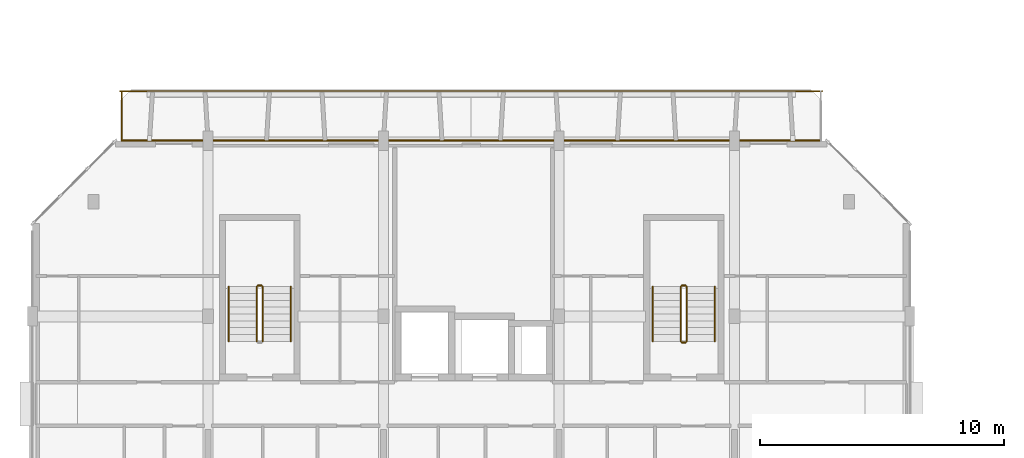
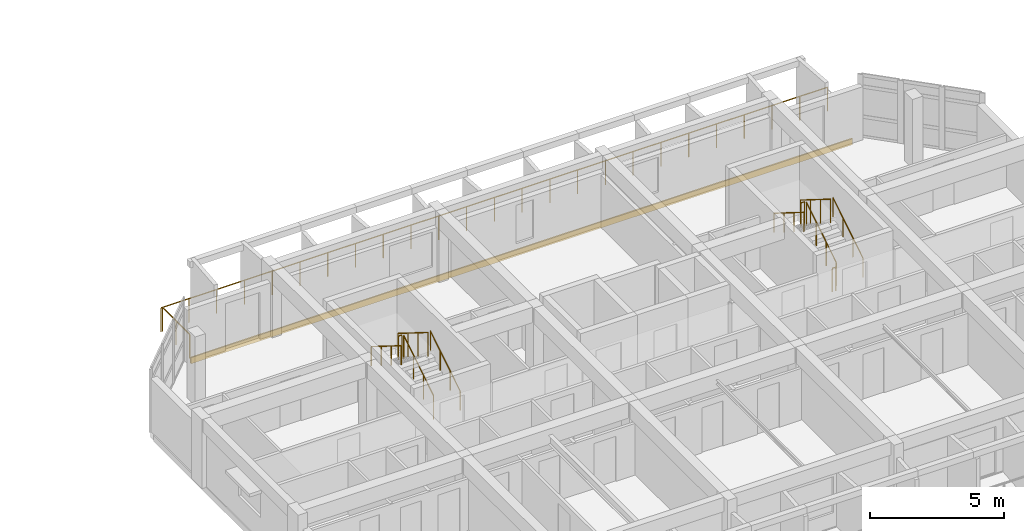
# One storey, part 36 of 44: 13 railings, 1 covering.
"""IFC4 building model written with IfcOpenShell, lengths in metres."""

from ifc_helpers import new_model, si_unit, direction, frame, origin, origin_2d, place, context, subcontext, project, spatial, rectangle, circle, extrude, material, layer, layer_set, type_object, element, save


model = new_model("IFC4")

# Units and contexts
model_context = context("Model", 3, precision=1e-05, world=origin(), true_north=direction((0.0, 1.0)))
body_context = subcontext(model_context, "Body", "Model", "MODEL_VIEW")
ifc_project = project(units=[si_unit("LENGTHUNIT", "METRE"), si_unit("AREAUNIT", "SQUARE_METRE"), si_unit("VOLUMEUNIT", "CUBIC_METRE"), si_unit("PLANEANGLEUNIT", "RADIAN"), si_unit("MASSUNIT", "GRAM", prefix="KILO")], contexts=[model_context])

# Site, building, storey
site_placement = place(None, origin())
site = spatial("IfcSite", under=ifc_project, at=site_placement, CompositionType="ELEMENT")
building_placement = place(site_placement, origin())
building = spatial("IfcBuilding", under=site, at=building_placement, Name="Ochrevale Crest", CompositionType="ELEMENT")
storey_placement = place(building_placement, frame((0.0, 0.0, 21.300048828125)))
storey = spatial("IfcBuildingStorey", under=building, at=storey_placement, Name="L06", CompositionType="ELEMENT", Elevation=21.300048828125)

# Covering
ifc_material_1 = material(Name="Glazed terracotta rainscreen tile", Category="masonry")
ifc_layer = layer(ifc_material_1, 0.048095703125)
ifc_layer_set = layer_set([ifc_layer], Name="Glazed terracotta rainscreen tile")
covering_type = type_object("IfcCoveringType", Name="COV-CLAD-TER", PredefinedType="CLADDING", material=ifc_layer_set)
covering_placement = place(storey_placement, frame((18.0, 36.012451171875, -0.26025390625), z_axis=(0.0, 0.0, 1.0), x_axis=(-1.0, 0.0, 0.0)))
element("IfcCovering", 1, at=covering_placement, inside=storey, type_object=covering_type, Name="Block A L06 terracotta slab-edge spandrel cladding", PredefinedType="CLADDING", context=body_context, shape_type="SweptSolid", body=[
    extrude(rectangle(XDim=28.60009765625, YDim=0.06005859375, at=origin_2d()), origin(), (0.0, 0.0, 1.0), 0.280029296875),
])

# Railings
ifc_material_2 = material(Name="Galvanised steel", Category="steel")
railing_type_1 = type_object("IfcRailingType", Name="RL-BAL-1100", PredefinedType="BALUSTRADE", material=ifc_material_2)
railing_1_placement = place(storey_placement, frame((3.60009765625, 38.0400390625, 0.0)))
element("IfcRailing", 2, at=railing_1_placement, inside=storey, type_object=railing_type_1, Name="Block A L06 N balcony front balustrade", PredefinedType="BALUSTRADE", context=body_context, shape_type="SweptSolid", body=[
    extrude(circle(Radius=0.02392578125, at=origin_2d()), frame((0.0, 0.0, 1.0859375), z_axis=(1.0, 0.0, 0.0), x_axis=(0.0, 1.0, 0.0)), (0.0, 0.0, 1.0), 28.7998046875),
    extrude(circle(Radius=0.02099609375, at=origin_2d()), origin(), (0.0, 0.0, 1.0), 1.06201171875),
    extrude(circle(Radius=0.02099609375, at=origin_2d()), frame((1.199951171875, 0.0, 0.0)), (0.0, 0.0, 1.0), 1.06201171875),
    extrude(circle(Radius=0.02099609375, at=origin_2d()), frame((2.39990234375, 0.0, 0.0)), (0.0, 0.0, 1.0), 1.06201171875),
    extrude(circle(Radius=0.02099609375, at=origin_2d()), frame((3.60009765625, 0.0, 0.0)), (0.0, 0.0, 1.0), 1.06201171875),
    extrude(circle(Radius=0.02099609375, at=origin_2d()), frame((4.800048828125, 0.0, 0.0)), (0.0, 0.0, 1.0), 1.06201171875),
    extrude(circle(Radius=0.02099609375, at=origin_2d()), frame((6.0, 0.0, 0.0)), (0.0, 0.0, 1.0), 1.06201171875),
    extrude(circle(Radius=0.02099609375, at=origin_2d()), frame((7.199951171875, 0.0, 0.0)), (0.0, 0.0, 1.0), 1.06201171875),
    extrude(circle(Radius=0.02099609375, at=origin_2d()), frame((8.39990234375, 0.0, 0.0)), (0.0, 0.0, 1.0), 1.06201171875),
    extrude(circle(Radius=0.02099609375, at=origin_2d()), frame((9.599853515625, 0.0, 0.0)), (0.0, 0.0, 1.0), 1.06201171875),
    extrude(circle(Radius=0.02099609375, at=origin_2d()), frame((10.7998046875, 0.0, 0.0)), (0.0, 0.0, 1.0), 1.06201171875),
    extrude(circle(Radius=0.02099609375, at=origin_2d()), frame((12.0, 0.0, 0.0)), (0.0, 0.0, 1.0), 1.06201171875),
    extrude(circle(Radius=0.02099609375, at=origin_2d()), frame((13.199951171875, 0.0, 0.0)), (0.0, 0.0, 1.0), 1.06201171875),
    extrude(circle(Radius=0.02099609375, at=origin_2d()), frame((14.39990234375, 0.0, 0.0)), (0.0, 0.0, 1.0), 1.06201171875),
    extrude(circle(Radius=0.02099609375, at=origin_2d()), frame((15.599853515625, 0.0, 0.0)), (0.0, 0.0, 1.0), 1.06201171875),
    extrude(circle(Radius=0.02099609375, at=origin_2d()), frame((16.7998046875, 0.0, 0.0)), (0.0, 0.0, 1.0), 1.06201171875),
    extrude(circle(Radius=0.02099609375, at=origin_2d()), frame((18.0, 0.0, 0.0)), (0.0, 0.0, 1.0), 1.06201171875),
    extrude(circle(Radius=0.02099609375, at=origin_2d()), frame((19.199951171875, 0.0, 0.0)), (0.0, 0.0, 1.0), 1.06201171875),
    extrude(circle(Radius=0.02099609375, at=origin_2d()), frame((20.39990234375, 0.0, 0.0)), (0.0, 0.0, 1.0), 1.06201171875),
    extrude(circle(Radius=0.02099609375, at=origin_2d()), frame((21.599853515625, 0.0, 0.0)), (0.0, 0.0, 1.0), 1.06201171875),
    extrude(circle(Radius=0.02099609375, at=origin_2d()), frame((22.7998046875, 0.0, 0.0)), (0.0, 0.0, 1.0), 1.06201171875),
    extrude(circle(Radius=0.02099609375, at=origin_2d()), frame((23.999755859375, 0.0, 0.0)), (0.0, 0.0, 1.0), 1.06201171875),
    extrude(circle(Radius=0.02099609375, at=origin_2d()), frame((25.19970703125, 0.0, 0.0)), (0.0, 0.0, 1.0), 1.06201171875),
    extrude(circle(Radius=0.02099609375, at=origin_2d()), frame((26.39990234375, 0.0, 0.0)), (0.0, 0.0, 1.0), 1.06201171875),
    extrude(circle(Radius=0.02099609375, at=origin_2d()), frame((27.599853515625, 0.0, 0.0)), (0.0, 0.0, 1.0), 1.06201171875),
    extrude(circle(Radius=0.02099609375, at=origin_2d()), frame((28.7998046875, 0.0, 0.0)), (0.0, 0.0, 1.0), 1.06201171875),
])
railing_2_placement = place(storey_placement, frame((3.659912109375, 36.0, 0.0)))
element("IfcRailing", 3, at=railing_2_placement, inside=storey, type_object=railing_type_1, Name="Block A L06 N-W balcony side guard", PredefinedType="BALUSTRADE", context=body_context, shape_type="SweptSolid", body=[
    extrude(circle(Radius=0.02392578125, at=origin_2d()), frame((0.0, 0.0, 1.0859375), z_axis=(0.0, 1.0, 0.0), x_axis=(-1.0, 0.0, 0.0)), (0.0, 0.0, 1.0), 2.0400390625),
    extrude(circle(Radius=0.02099609375, at=origin_2d()), origin(), (0.0, 0.0, 1.0), 1.06201171875),
    extrude(circle(Radius=0.02099609375, at=origin_2d()), frame((0.0, 1.02001953125, 0.0)), (0.0, 0.0, 1.0), 1.06201171875),
    extrude(circle(Radius=0.02099609375, at=origin_2d()), frame((0.0, 2.0400390625, 0.0)), (0.0, 0.0, 1.0), 1.06201171875),
])
railing_type_2 = type_object("IfcRailingType", Name="RL-ST-GUARD", PredefinedType="BALUSTRADE", material=ifc_material_2)
railing_3_placement = place(storey_placement, frame((9.449951171875, 27.77490234375, 0.175048828125)))
element("IfcRailing", 4, at=railing_3_placement, inside=storey, type_object=railing_type_2, Name="L06 ST-A1 stair guard 1", PredefinedType="BALUSTRADE", context=body_context, shape_type="SweptSolid", body=[
    extrude(circle(Radius=0.02392578125, at=origin_2d()), frame((0.0, 0.0, 1.076171875), z_axis=(0.0, 0.848013881152, 0.529974015752), x_axis=(-1.0, 0.0, 0.0)), (0.0, 0.0, 1.0), 2.641357421875),
    extrude(circle(Radius=0.02099609375, at=origin_2d()), origin(), (0.0, 0.0, 1.0), 1.052001953125),
    extrude(circle(Radius=0.02099609375, at=origin_2d()), frame((0.0, 0.74658203125, 0.466552734375)), (0.0, 0.0, 1.0), 1.052001953125),
    extrude(circle(Radius=0.02099609375, at=origin_2d()), frame((0.0, 1.493408203125, 0.933349609375)), (0.0, 0.0, 1.0), 1.052001953125),
    extrude(circle(Radius=0.02099609375, at=origin_2d()), frame((0.0, 2.239990234375, 1.39990234375)), (0.0, 0.0, 1.0), 1.052001953125),
])
railing_4_placement = place(storey_placement, frame((9.39990234375, 30.06494140625, 1.574951171875)))
element("IfcRailing", 5, at=railing_4_placement, inside=storey, type_object=railing_type_2, Name="L06 ST-A1 stair guard 2", PredefinedType="BALUSTRADE", context=body_context, shape_type="SweptSolid", body=[
    extrude(circle(Radius=0.02392578125, at=origin_2d()), frame((0.0, 0.0, 1.076171875), z_axis=(-1.0, 0.0, 0.0), x_axis=(0.0, -1.0, 0.0)), (0.0, 0.0, 1.0), 0.14990234375),
    extrude(circle(Radius=0.02099609375, at=origin_2d()), origin(), (0.0, 0.0, 1.0), 1.052001953125),
    extrude(circle(Radius=0.02099609375, at=origin_2d()), frame((-0.14990234375, 0.0, 0.0)), (0.0, 0.0, 1.0), 1.052001953125),
])
railing_5_placement = place(storey_placement, frame((9.199951171875, 30.014892578125, 1.75)))
element("IfcRailing", 6, at=railing_5_placement, inside=storey, type_object=railing_type_2, Name="L06 ST-A1 stair guard 3", PredefinedType="BALUSTRADE", context=body_context, shape_type="SweptSolid", body=[
    extrude(circle(Radius=0.02392578125, at=origin_2d()), frame((0.0, 0.0, 1.076171875), z_axis=(0.0, -0.848013881152, 0.529974015752), x_axis=(1.0, 0.0, 0.0)), (0.0, 0.0, 1.0), 2.641357421875),
    extrude(circle(Radius=0.02099609375, at=origin_2d()), origin(), (0.0, 0.0, 1.0), 1.052001953125),
    extrude(circle(Radius=0.02099609375, at=origin_2d()), frame((0.0, -0.74658203125, 0.466552734375)), (0.0, 0.0, 1.0), 1.052001953125),
    extrude(circle(Radius=0.02099609375, at=origin_2d()), frame((0.0, -1.493408203125, 0.933349609375)), (0.0, 0.0, 1.0), 1.052001953125),
    extrude(circle(Radius=0.02099609375, at=origin_2d()), frame((0.0, -2.239990234375, 1.39990234375)), (0.0, 0.0, 1.0), 1.052001953125),
])
railing_6_placement = place(storey_placement, frame((26.85009765625, 27.77490234375, 0.175048828125)))
element("IfcRailing", 7, at=railing_6_placement, inside=storey, type_object=railing_type_2, Name="L06 ST-A2 stair guard 1", PredefinedType="BALUSTRADE", context=body_context, shape_type="SweptSolid", body=[
    extrude(circle(Radius=0.02392578125, at=origin_2d()), frame((0.0, 0.0, 1.076171875), z_axis=(0.0, 0.848013881152, 0.529974015752), x_axis=(-1.0, 0.0, 0.0)), (0.0, 0.0, 1.0), 2.641357421875),
    extrude(circle(Radius=0.02099609375, at=origin_2d()), origin(), (0.0, 0.0, 1.0), 1.052001953125),
    extrude(circle(Radius=0.02099609375, at=origin_2d()), frame((0.0, 0.74658203125, 0.466552734375)), (0.0, 0.0, 1.0), 1.052001953125),
    extrude(circle(Radius=0.02099609375, at=origin_2d()), frame((0.0, 1.493408203125, 0.933349609375)), (0.0, 0.0, 1.0), 1.052001953125),
    extrude(circle(Radius=0.02099609375, at=origin_2d()), frame((0.0, 2.239990234375, 1.39990234375)), (0.0, 0.0, 1.0), 1.052001953125),
])
railing_7_placement = place(storey_placement, frame((26.800048828125, 30.06494140625, 1.574951171875)))
element("IfcRailing", 8, at=railing_7_placement, inside=storey, type_object=railing_type_2, Name="L06 ST-A2 stair guard 2", PredefinedType="BALUSTRADE", context=body_context, shape_type="SweptSolid", body=[
    extrude(circle(Radius=0.02392578125, at=origin_2d()), frame((0.0, 0.0, 1.076171875), z_axis=(-1.0, 0.0, 0.0), x_axis=(0.0, -1.0, 0.0)), (0.0, 0.0, 1.0), 0.150146484375),
    extrude(circle(Radius=0.02099609375, at=origin_2d()), origin(), (0.0, 0.0, 1.0), 1.052001953125),
    extrude(circle(Radius=0.02099609375, at=origin_2d()), frame((-0.150146484375, 0.0, 0.0)), (0.0, 0.0, 1.0), 1.052001953125),
])
railing_8_placement = place(storey_placement, frame((26.60009765625, 30.014892578125, 1.75)))
element("IfcRailing", 9, at=railing_8_placement, inside=storey, type_object=railing_type_2, Name="L06 ST-A2 stair guard 3", PredefinedType="BALUSTRADE", context=body_context, shape_type="SweptSolid", body=[
    extrude(circle(Radius=0.02392578125, at=origin_2d()), frame((0.0, 0.0, 1.076171875), z_axis=(0.0, -0.848013881152, 0.529974015752), x_axis=(1.0, 0.0, 0.0)), (0.0, 0.0, 1.0), 2.641357421875),
    extrude(circle(Radius=0.02099609375, at=origin_2d()), origin(), (0.0, 0.0, 1.0), 1.052001953125),
    extrude(circle(Radius=0.02099609375, at=origin_2d()), frame((0.0, -0.74658203125, 0.466552734375)), (0.0, 0.0, 1.0), 1.052001953125),
    extrude(circle(Radius=0.02099609375, at=origin_2d()), frame((0.0, -1.493408203125, 0.933349609375)), (0.0, 0.0, 1.0), 1.052001953125),
    extrude(circle(Radius=0.02099609375, at=origin_2d()), frame((0.0, -2.239990234375, 1.39990234375)), (0.0, 0.0, 1.0), 1.052001953125),
])
railing_9_placement = place(storey_placement, frame((26.800048828125, 27.72509765625, 0.0)))
element("IfcRailing", 10, at=railing_9_placement, inside=storey, type_object=railing_type_2, Name="L06 ST-A2 stair guard 4", PredefinedType="BALUSTRADE", context=body_context, shape_type="SweptSolid", body=[
    extrude(circle(Radius=0.02392578125, at=origin_2d()), frame((0.0, 0.0, 1.076171875), z_axis=(-1.0, 0.0, 0.0), x_axis=(0.0, -1.0, 0.0)), (0.0, 0.0, 1.0), 0.150146484375),
    extrude(circle(Radius=0.02099609375, at=origin_2d()), origin(), (0.0, 0.0, 1.0), 1.052001953125),
    extrude(circle(Radius=0.02099609375, at=origin_2d()), frame((-0.150146484375, 0.0, 0.0)), (0.0, 0.0, 1.0), 1.052001953125),
])
ifc_material_3 = material(Name="Stainless steel", Category="steel")
railing_type_3 = type_object("IfcRailingType", Name="RL-ST-HRAIL", PredefinedType="HANDRAIL", material=ifc_material_3)
railing_10_placement = place(storey_placement, frame((10.60009765625, 27.77490234375, 0.175048828125)))
element("IfcRailing", 11, at=railing_10_placement, inside=storey, type_object=railing_type_3, Name="L06 ST-A1 stair handrail 1", PredefinedType="HANDRAIL", context=body_context, shape_type="SweptSolid", body=[
    extrude(circle(Radius=0.02392578125, at=origin_2d()), frame((0.0, 0.0, 0.8759765625), z_axis=(0.0, 0.848013881152, 0.529974015752), x_axis=(-1.0, 0.0, 0.0)), (0.0, 0.0, 1.0), 2.641357421875),
    extrude(circle(Radius=0.02099609375, at=origin_2d()), origin(), (0.0, 0.0, 1.0), 0.851806640625),
    extrude(circle(Radius=0.02099609375, at=origin_2d()), frame((0.0, 0.74658203125, 0.466552734375)), (0.0, 0.0, 1.0), 0.851806640625),
    extrude(circle(Radius=0.02099609375, at=origin_2d()), frame((0.0, 1.493408203125, 0.933349609375)), (0.0, 0.0, 1.0), 0.851806640625),
    extrude(circle(Radius=0.02099609375, at=origin_2d()), frame((0.0, 2.239990234375, 1.39990234375)), (0.0, 0.0, 1.0), 0.851806640625),
])
railing_11_placement = place(storey_placement, frame((8.050048828125, 30.014892578125, 1.75)))
element("IfcRailing", 12, at=railing_11_placement, inside=storey, type_object=railing_type_3, Name="L06 ST-A1 stair handrail 2", PredefinedType="HANDRAIL", context=body_context, shape_type="SweptSolid", body=[
    extrude(circle(Radius=0.02392578125, at=origin_2d()), frame((0.0, 0.0, 0.8759765625), z_axis=(0.0, -0.848013881152, 0.529974015752), x_axis=(1.0, 0.0, 0.0)), (0.0, 0.0, 1.0), 2.641357421875),
    extrude(circle(Radius=0.02099609375, at=origin_2d()), origin(), (0.0, 0.0, 1.0), 0.851806640625),
    extrude(circle(Radius=0.02099609375, at=origin_2d()), frame((0.0, -0.74658203125, 0.466552734375)), (0.0, 0.0, 1.0), 0.851806640625),
    extrude(circle(Radius=0.02099609375, at=origin_2d()), frame((0.0, -1.493408203125, 0.933349609375)), (0.0, 0.0, 1.0), 0.851806640625),
    extrude(circle(Radius=0.02099609375, at=origin_2d()), frame((0.0, -2.239990234375, 1.39990234375)), (0.0, 0.0, 1.0), 0.851806640625),
])
railing_12_placement = place(storey_placement, frame((28.0, 27.77490234375, 0.175048828125)))
element("IfcRailing", 13, at=railing_12_placement, inside=storey, type_object=railing_type_3, Name="L06 ST-A2 stair handrail 1", PredefinedType="HANDRAIL", context=body_context, shape_type="SweptSolid", body=[
    extrude(circle(Radius=0.02392578125, at=origin_2d()), frame((0.0, 0.0, 0.8759765625), z_axis=(0.0, 0.848013881152, 0.529974015752), x_axis=(-1.0, 0.0, 0.0)), (0.0, 0.0, 1.0), 2.641357421875),
    extrude(circle(Radius=0.02099609375, at=origin_2d()), origin(), (0.0, 0.0, 1.0), 0.851806640625),
    extrude(circle(Radius=0.02099609375, at=origin_2d()), frame((0.0, 0.74658203125, 0.466552734375)), (0.0, 0.0, 1.0), 0.851806640625),
    extrude(circle(Radius=0.02099609375, at=origin_2d()), frame((0.0, 1.493408203125, 0.933349609375)), (0.0, 0.0, 1.0), 0.851806640625),
    extrude(circle(Radius=0.02099609375, at=origin_2d()), frame((0.0, 2.239990234375, 1.39990234375)), (0.0, 0.0, 1.0), 0.851806640625),
])
railing_13_placement = place(storey_placement, frame((25.449951171875, 30.014892578125, 1.75)))
element("IfcRailing", 14, at=railing_13_placement, inside=storey, type_object=railing_type_3, Name="L06 ST-A2 stair handrail 2", PredefinedType="HANDRAIL", context=body_context, shape_type="SweptSolid", body=[
    extrude(circle(Radius=0.02392578125, at=origin_2d()), frame((0.0, 0.0, 0.8759765625), z_axis=(0.0, -0.848013881152, 0.529974015752), x_axis=(1.0, 0.0, 0.0)), (0.0, 0.0, 1.0), 2.641357421875),
    extrude(circle(Radius=0.02099609375, at=origin_2d()), origin(), (0.0, 0.0, 1.0), 0.851806640625),
    extrude(circle(Radius=0.02099609375, at=origin_2d()), frame((0.0, -0.74658203125, 0.466552734375)), (0.0, 0.0, 1.0), 0.851806640625),
    extrude(circle(Radius=0.02099609375, at=origin_2d()), frame((0.0, -1.493408203125, 0.933349609375)), (0.0, 0.0, 1.0), 0.851806640625),
    extrude(circle(Radius=0.02099609375, at=origin_2d()), frame((0.0, -2.239990234375, 1.39990234375)), (0.0, 0.0, 1.0), 0.851806640625),
])

save(model, "model.ifc")
